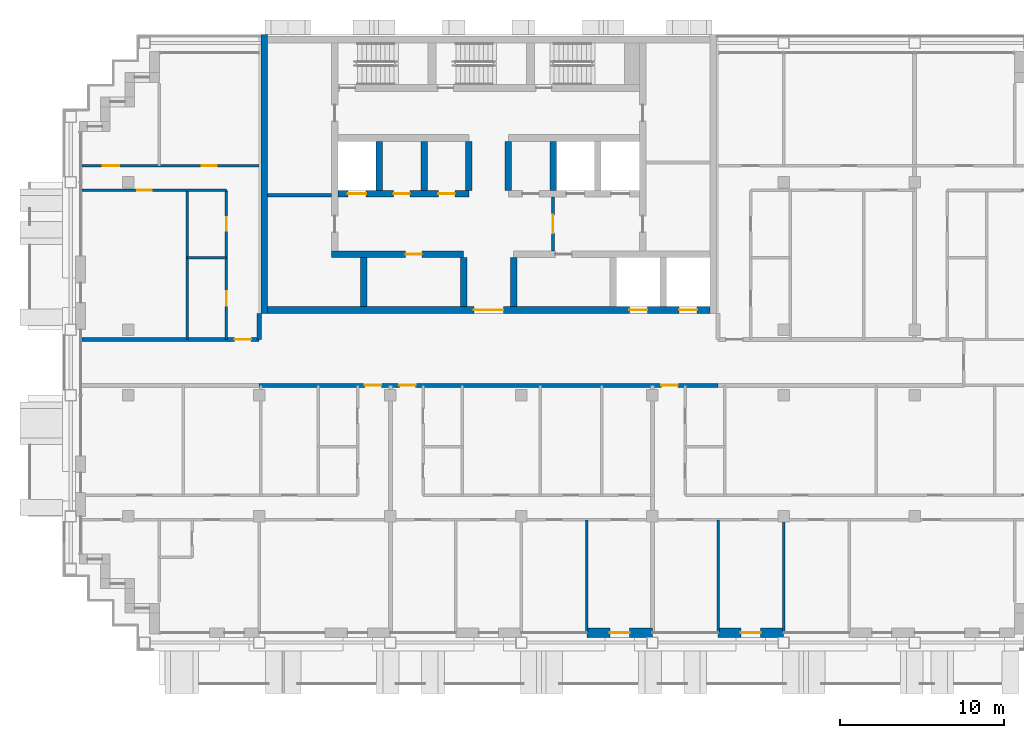
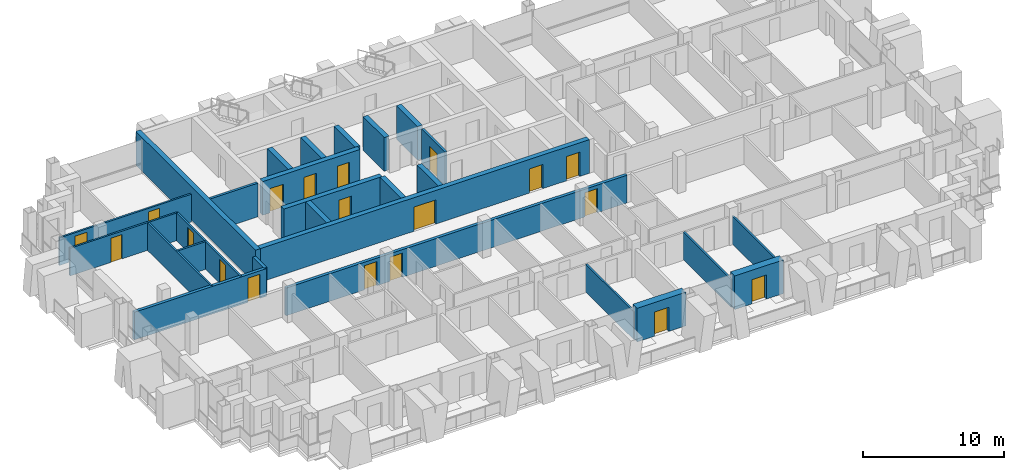
# One storey, part 9 of 16: 27 walls, 19 doors, 19 openings.
"""IFC4 building model written with IfcOpenShell, lengths in metres."""

import ifcopenshell
import ifcopenshell.guid

model = None  # the IFC model being written
_history = None  # IfcOwnerHistory: only IFC2X3 demands one
_inside = {}  # id of a spatial element -> (the spatial element, [elements in it])
_under = {}  # id of a project, library or spatial element -> (it, [spatial elements below it])
_declared = {}  # id of a project -> (the project, [libraries it declares])
_typed = {}  # id of a type object -> (the type object, [elements of that type])
_made_of = {}  # id of a material, layer set ... -> (it, [elements and type objects made of it])


def new_model(schema):
    """Start an empty IFC model of exactly this schema.

    Asked for "IFC4X3", IfcOpenShell would pick the latest addendum, in which some entities
    have other attributes; the version numbers below select the first issue.
    IFC2X3 requires an IfcOwnerHistory on every rooted entity: one is made here for all.
    """
    global model, _history
    if schema == "IFC4X3":
        model = ifcopenshell.file(schema_version=(4, 3, 0, 0))
    else:
        model = ifcopenshell.file(schema=schema)
    _inside.clear()
    _under.clear()
    _declared.clear()
    _typed.clear()
    _made_of.clear()
    _history = None
    if model.schema == "IFC2X3":
        org = make("IfcOrganization", Name="unknown")
        user = make(
            "IfcPersonAndOrganization",
            ThePerson=make("IfcPerson", FamilyName="unknown"),
            TheOrganization=org,
        )
        app = make(
            "IfcApplication",
            ApplicationDeveloper=org,
            Version="unknown",
            ApplicationFullName="unknown",
            ApplicationIdentifier="unknown",
        )
        _history = make(
            "IfcOwnerHistory",
            OwningUser=user,
            OwningApplication=app,
            ChangeAction="ADDED",
            CreationDate=0,
        )
    return model


def make(cls, **values):
    """One entity of the class cls with the attributes given. An attribute that is None is left unset."""
    return model.create_entity(
        cls, **{name: value for name, value in values.items() if value is not None}
    )


def rooted(cls, **values):
    """An entity with a GlobalId (a new one), such as an element, a storey or a relation."""
    return make(cls, GlobalId=ifcopenshell.guid.new(), OwnerHistory=_history, **values)


def si_unit(unit_type, name, prefix=None):
    """IfcSIUnit, for example si_unit("LENGTHUNIT", "METRE", prefix="MILLI")."""
    return make("IfcSIUnit", UnitType=unit_type, Prefix=prefix, Name=name)


def assignment(units):
    """IfcUnitAssignment: the units of a project."""
    return None if units is None else make("IfcUnitAssignment", Units=units)


def point(xyz):
    """IfcCartesianPoint."""
    return None if xyz is None else make("IfcCartesianPoint", Coordinates=xyz)


def direction(xyz):
    """IfcDirection."""
    return None if xyz is None else make("IfcDirection", DirectionRatios=xyz)


def frame(location, z_axis=None, x_axis=None):
    """IfcAxis2Placement3D, a coordinate frame: its origin and axes. An axis left out is left unset."""
    return make(
        "IfcAxis2Placement3D",
        Location=point(location),
        Axis=direction(z_axis),
        RefDirection=direction(x_axis),
    )


def frame_2d(location, x_axis=None):
    """IfcAxis2Placement2D, a coordinate frame in the plane: its origin and x axis."""
    return make(
        "IfcAxis2Placement2D", Location=point(location), RefDirection=direction(x_axis)
    )


def origin():
    """The frame at (0, 0, 0) with its axes left unset."""
    return frame((0.0, 0.0, 0.0))


def place(relative_to, where):
    """IfcLocalPlacement: puts the frame where relative to a parent placement (None: the world)."""
    return make(
        "IfcLocalPlacement", PlacementRelTo=relative_to, RelativePlacement=where
    )


def context(
    kind, dimensions, precision=None, world=None, true_north=None, identifier=None
):
    """IfcGeometricRepresentationContext, for example the 3D "Model" context."""
    return make(
        "IfcGeometricRepresentationContext",
        ContextIdentifier=identifier,
        ContextType=kind,
        CoordinateSpaceDimension=dimensions,
        Precision=precision,
        WorldCoordinateSystem=world,
        TrueNorth=true_north,
    )


def subcontext(parent, identifier, kind, view, scale=None):
    """IfcGeometricRepresentationSubContext, for example "Body" below "Model"."""
    return make(
        "IfcGeometricRepresentationSubContext",
        ContextIdentifier=identifier,
        ContextType=kind,
        ParentContext=parent,
        TargetScale=scale,
        TargetView=view,
    )


def project(units=None, contexts=None):
    """IfcProject with its units and contexts."""
    return rooted(
        "IfcProject",
        Name="project",
        RepresentationContexts=contexts,
        UnitsInContext=assignment(units),
    )


def spatial(cls, under=None, at=None, **own):
    """A site, building, storey or space (cls), placed at a placement, below another one or the project."""
    s = rooted(cls, ObjectPlacement=at, **own)
    if under is not None:
        _under.setdefault(under.id(), (under, []))[1].append(s)
    return s


def profile(cls, at=None, kind="AREA", **sizes):
    """A parametric profile (cls). Its sizes go by their IFC names, for example OverallWidth=200.0."""
    return make(cls, ProfileType=kind, Position=at, **sizes)


def rectangle(**sizes):
    """IfcRectangleProfileDef."""
    return profile("IfcRectangleProfileDef", **sizes)


def extrude(swept, where, along, depth):
    """IfcExtrudedAreaSolid: the profile swept, set in the frame where, extruded along a direction by depth."""
    return make(
        "IfcExtrudedAreaSolid",
        SweptArea=swept,
        Position=where,
        ExtrudedDirection=direction(along),
        Depth=depth,
    )


def shape(context_of_items, identifier, shape_type, items):
    """IfcShapeRepresentation: the items that make up one representation, for example the "Body"."""
    return make(
        "IfcShapeRepresentation",
        ContextOfItems=context_of_items,
        RepresentationIdentifier=identifier,
        RepresentationType=shape_type,
        Items=items,
    )


def material(Name=None, Category=None):
    """IfcMaterial."""
    return make("IfcMaterial", Name=Name, Category=Category)


def layer(
    of_material, thickness, ventilated=None, Name=None, Category=None, Priority=None
):
    """IfcMaterialLayer: one layer of a wall or slab, of a material (None: an air gap)."""
    return make(
        "IfcMaterialLayer",
        Material=of_material,
        LayerThickness=thickness,
        IsVentilated=ventilated,
        Name=Name,
        Category=Category,
        Priority=Priority,
    )


def layer_set(layers, Name=None):
    """IfcMaterialLayerSet."""
    return make("IfcMaterialLayerSet", MaterialLayers=layers, LayerSetName=Name)


def made_of(thing, what):
    """Note that an element or type object is made of a material, layer set ...; save() writes the relation."""
    if what is not None:
        _made_of.setdefault(what.id(), (what, []))[1].append(thing)
    return thing


def type_object(cls, material=None, **own):
    """A type object (cls), such as IfcWallType, which elements share."""
    return made_of(rooted(cls, **own), material)


def element(
    cls,
    number,
    at=None,
    inside=None,
    cuts=None,
    type_object=None,
    material=None,
    context=None,
    identifier="Body",
    shape_type=None,
    held_by="IfcProductDefinitionShape",
    body=None,
    shapes=None,
    **own,
):
    """One element of the class cls, such as IfcWall. Its Tag is "e" and its number.

    at: its placement. inside: the storey or other place that contains it. cuts: it is an
    opening in that element (IfcRelVoidsElement). A single representation is given by context,
    identifier, shape_type and body (its items); several are given by shapes. held_by: the class
    of the entity that holds the representations. save() writes the other relations.
    """
    e = rooted(cls, Tag="e%d" % number, ObjectPlacement=at, **own)
    if body is not None:
        shapes = [shape(context, identifier, shape_type, body)]
    if shapes is not None:
        e.Representation = make(held_by, Representations=shapes)
    if inside is not None:
        _inside.setdefault(inside.id(), (inside, []))[1].append(e)
    if cuts is not None:
        rooted(
            "IfcRelVoidsElement", RelatingBuildingElement=cuts, RelatedOpeningElement=e
        )
    if type_object is not None:
        _typed.setdefault(type_object.id(), (type_object, []))[1].append(e)
    return made_of(e, material)


def fill(opening, filler):
    """IfcRelFillsElement: the door or window that sits in an opening."""
    return rooted(
        "IfcRelFillsElement",
        RelatingOpeningElement=opening,
        RelatedBuildingElement=filler,
    )


def aggregate(whole, parts):
    """IfcRelAggregates: a whole, such as a stair, and the parts it consists of."""
    return rooted("IfcRelAggregates", RelatingObject=whole, RelatedObjects=parts)


def save(model, path):
    """Write the relations noted so far, then the file.

    IfcRelAggregates (storeys below a building ...), IfcRelContainedInSpatialStructure (elements
    in a storey), IfcRelDefinesByType, IfcRelAssociatesMaterial and IfcRelDeclares: one each for
    every whole, place, type object, material and project.
    """
    for whole, parts in _under.values():
        aggregate(whole, parts)
    for where, things in _inside.values():
        rooted(
            "IfcRelContainedInSpatialStructure",
            RelatedElements=things,
            RelatingStructure=where,
        )
    for kind, things in _typed.values():
        rooted("IfcRelDefinesByType", RelatedObjects=things, RelatingType=kind)
    for what, things in _made_of.values():
        rooted("IfcRelAssociatesMaterial", RelatedObjects=things, RelatingMaterial=what)
    for by, libraries in _declared.values():
        rooted("IfcRelDeclares", RelatingContext=by, RelatedDefinitions=libraries)
    model.write(path)


model = new_model("IFC4")

# Units and contexts
model_context = context("Model", 3, precision=1e-05, world=origin(), true_north=direction((0.0, 1.0)))
body_context = subcontext(model_context, "Body", "Model", "MODEL_VIEW")
ifc_project = project(units=[si_unit("LENGTHUNIT", "METRE"), si_unit("AREAUNIT", "SQUARE_METRE"), si_unit("VOLUMEUNIT", "CUBIC_METRE"), si_unit("PLANEANGLEUNIT", "RADIAN"), si_unit("MASSUNIT", "GRAM", prefix="KILO")], contexts=[model_context])

# Site, building, storey
site_placement = place(None, origin())
site = spatial("IfcSite", under=ifc_project, at=site_placement, CompositionType="ELEMENT")
building_placement = place(site_placement, origin())
building = spatial("IfcBuilding", under=site, at=building_placement, Name="Vidyagriha Tower", CompositionType="ELEMENT")
storey_placement = place(building_placement, frame((0.0, 0.0, 168.5)))
storey = spatial("IfcBuildingStorey", under=building, at=storey_placement, Name="L43", CompositionType="ELEMENT", Elevation=168.5)

# Wall, opening, door
ifc_material_1 = material(Name="Precast concrete C40/50 with brick facing", Category="concrete")
ifc_layer_1 = layer(ifc_material_1, 0.60009765625)
ifc_layer_set_1 = layer_set([ifc_layer_1], Name="Precast concrete C40/50 with brick facing")
wall_type_1 = type_object("IfcWallType", Name="Brick-faced precast wall 600", PredefinedType="STANDARD", material=ifc_layer_set_1)
wall_1_placement = place(storey_placement, frame((6.0, -16.5, 0.0)))
wall_1 = element("IfcWall", 1, at=wall_1_placement, inside=storey, type_object=wall_type_1, Name="Brick door bay wall L43 R23.8", PredefinedType="STANDARD", context=body_context, shape_type="SweptSolid", body=[
    extrude(rectangle(XDim=4.0, YDim=0.60009765625, at=frame_2d((2.0, 0.0))), origin(), (0.0, 0.0, 1.0), 2.919921875),
])
opening_1_placement = place(wall_1_placement, frame((1.39990234375, 0.0, 0.0)))
opening_1 = element("IfcOpeningElement", 2, at=opening_1_placement, cuts=wall_1, Name="Opening D43-71", PredefinedType="OPENING", context=body_context, shape_type="SweptSolid", body=[
    extrude(rectangle(XDim=1.199951171875, YDim=2.10009765625, at=frame_2d((0.60009765625, 1.050048828125))), frame((0.0, 0.31005859375, 0.0), z_axis=(0.0, -1.0, 0.0), x_axis=(1.0, 0.0, 0.0)), (0.0, 0.0, 1.0), 0.6201171875),
])
ifc_material_2 = material(Name="Aluminium framed glazed sliding door", Category="aluminium")
door_type_1 = type_object("IfcDoorType", Name="Balcony sliding door 1200x2100", OperationType="NOTDEFINED", PredefinedType="DOOR", material=ifc_material_2)
door_1_placement = place(opening_1_placement, origin())
door_1 = element("IfcDoor", 3, at=door_1_placement, inside=storey, type_object=door_type_1, Name="Door D43-71", OperationType="SLIDING_TO_LEFT", OverallHeight=2.10009765625, OverallWidth=1.199951171875, PredefinedType="DOOR", context=body_context, shape_type="SweptSolid", body=[
    extrude(rectangle(XDim=1.199951171875, YDim=2.10009765625, at=frame_2d((0.60009765625, 1.050048828125))), frame((0.0, 0.02490234375, 0.0), z_axis=(0.0, -1.0, 0.0), x_axis=(1.0, 0.0, 0.0)), (0.0, 0.0, 1.0), 0.050048828125),
])
fill(opening_1, door_1)

wall_2_placement = place(storey_placement, frame((14.0, -16.5, 0.0)))
wall_2 = element("IfcWall", 4, at=wall_2_placement, inside=storey, type_object=wall_type_1, Name="Brick door bay wall L43 R23.10", PredefinedType="STANDARD", context=body_context, shape_type="SweptSolid", body=[
    extrude(rectangle(XDim=4.0, YDim=0.60009765625, at=frame_2d((2.0, 0.0))), origin(), (0.0, 0.0, 1.0), 2.919921875),
])
opening_2_placement = place(wall_2_placement, frame((1.39990234375, 0.0, 0.0)))
opening_2 = element("IfcOpeningElement", 5, at=opening_2_placement, cuts=wall_2, Name="Opening D43-72", PredefinedType="OPENING", context=body_context, shape_type="SweptSolid", body=[
    extrude(rectangle(XDim=1.199951171875, YDim=2.10009765625, at=frame_2d((0.60009765625, 1.050048828125))), frame((0.0, 0.31005859375, 0.0), z_axis=(0.0, -1.0, 0.0), x_axis=(1.0, 0.0, 0.0)), (0.0, 0.0, 1.0), 0.6201171875),
])
door_2_placement = place(opening_2_placement, origin())
door_2 = element("IfcDoor", 6, at=door_2_placement, inside=storey, type_object=door_type_1, Name="Door D43-72", OperationType="SLIDING_TO_LEFT", OverallHeight=2.10009765625, OverallWidth=1.199951171875, PredefinedType="DOOR", context=body_context, shape_type="SweptSolid", body=[
    extrude(rectangle(XDim=1.199951171875, YDim=2.10009765625, at=frame_2d((0.60009765625, 1.050048828125))), frame((0.0, 0.02490234375, 0.0), z_axis=(0.0, -1.0, 0.0), x_axis=(1.0, 0.0, 0.0)), (0.0, 0.0, 1.0), 0.050048828125),
])
fill(opening_2, door_2)

# Wall
ifc_material_3 = material(Name="Concrete C60/75", Category="concrete")
ifc_layer_2 = layer(ifc_material_3, 0.39990234375)
ifc_layer_set_2 = layer_set([ifc_layer_2], Name="Concrete C60/75")
wall_type_2 = type_object("IfcWallType", Name="Core shear wall 400 mm", PredefinedType="SHEAR", material=ifc_layer_set_2)
wall_3_placement = place(storey_placement, frame((-13.699951171875, 3.0, 0.0), z_axis=(0.0, 0.0, 1.0), x_axis=(0.0, 1.0, 0.0)))
element("IfcWall", 7, at=wall_3_placement, inside=storey, type_object=wall_type_2, Name="Core west wall", PredefinedType="SHEAR", context=body_context, shape_type="SweptSolid", body=[
    extrude(rectangle(XDim=17.0, YDim=0.39990234375, at=frame_2d((8.5, 0.0))), origin(), (0.0, 0.0, 1.0), 2.919921875),
])

# Wall, openings, doors
wall_4_placement = place(storey_placement, frame((-13.5, 3.199951171875, 0.0)))
wall_4 = element("IfcWall", 8, at=wall_4_placement, inside=storey, type_object=wall_type_2, Name="Core front wall", PredefinedType="SHEAR", context=body_context, shape_type="SweptSolid", body=[
    extrude(rectangle(XDim=27.0, YDim=0.39990234375, at=frame_2d((13.5, 0.0))), origin(), (0.0, 0.0, 1.0), 2.919921875),
])
opening_3_placement = place(wall_4_placement, frame((22.083251953125, 0.0, 0.0)))
opening_3 = element("IfcOpeningElement", 9, at=opening_3_placement, cuts=wall_4, Name="Opening LD43-01", PredefinedType="OPENING", context=body_context, shape_type="SweptSolid", body=[
    extrude(rectangle(XDim=1.10009765625, YDim=2.10009765625, at=frame_2d((0.550048828125, 1.050048828125))), frame((0.0, 0.2099609375, 0.0), z_axis=(0.0, -1.0, 0.0), x_axis=(1.0, 0.0, 0.0)), (0.0, 0.0, 1.0), 0.419921875),
])
opening_4_placement = place(wall_4_placement, frame((25.127685546875, 0.0, 0.0)))
opening_4 = element("IfcOpeningElement", 10, at=opening_4_placement, cuts=wall_4, Name="Opening LD43-02", PredefinedType="OPENING", context=body_context, shape_type="SweptSolid", body=[
    extrude(rectangle(XDim=1.10009765625, YDim=2.10009765625, at=frame_2d((0.550048828125, 1.050048828125))), frame((0.0, 0.2099609375, 0.0), z_axis=(0.0, -1.0, 0.0), x_axis=(1.0, 0.0, 0.0)), (0.0, 0.0, 1.0), 0.419921875),
])
opening_5_placement = place(wall_4_placement, frame((12.60009765625, 0.0, 0.0)))
opening_5 = element("IfcOpeningElement", 11, at=opening_5_placement, cuts=wall_4, Name="Opening D43-01", PredefinedType="OPENING", context=body_context, shape_type="SweptSolid", body=[
    extrude(rectangle(XDim=1.800048828125, YDim=2.10009765625, at=frame_2d((0.89990234375, 1.050048828125))), frame((0.0, 0.2099609375, 0.0), z_axis=(0.0, -1.0, 0.0), x_axis=(1.0, 0.0, 0.0)), (0.0, 0.0, 1.0), 0.419921875),
])
ifc_material_4 = material(Name="Hollow metal door leaf")
door_type_2 = type_object("IfcDoorType", Name="Core lobby double door 1800 x 2100 mm EI 60", OperationType="NOTDEFINED", PredefinedType="DOOR", material=ifc_material_4)
door_3_placement = place(opening_5_placement, frame((1.800048828125, 0.0, 0.0), z_axis=(0.0, 0.0, 1.0), x_axis=(-1.0, 0.0, 0.0)))
door_3 = element("IfcDoor", 12, at=door_3_placement, inside=storey, type_object=door_type_2, Name="Core entrance door L43", OperationType="DOUBLE_DOOR_SINGLE_SWING", OverallHeight=2.10009765625, OverallWidth=1.800048828125, PredefinedType="DOOR", context=body_context, shape_type="SweptSolid", body=[
    extrude(rectangle(XDim=1.800048828125, YDim=2.10009765625, at=frame_2d((0.89990234375, 1.050048828125))), frame((0.0, 0.02490234375, 0.0), z_axis=(0.0, -1.0, 0.0), x_axis=(1.0, 0.0, 0.0)), (0.0, 0.0, 1.0), 0.050048828125),
])
fill(opening_5, door_3)
ifc_material_5 = material(Name="Stainless steel sliding door panel", Category="steel")
door_type_3 = type_object("IfcDoorType", Name="Lift landing door 1100 x 2100 mm EI 90", OperationType="NOTDEFINED", PredefinedType="DOOR", material=ifc_material_5)
door_4_placement = place(opening_3_placement, origin())
door_4 = element("IfcDoor", 13, at=door_4_placement, inside=storey, type_object=door_type_3, Name="Landing door MR1 L43", OperationType="SLIDING_TO_LEFT", OverallHeight=2.10009765625, OverallWidth=1.10009765625, PredefinedType="DOOR", context=body_context, shape_type="SweptSolid", body=[
    extrude(rectangle(XDim=1.10009765625, YDim=2.10009765625, at=frame_2d((0.550048828125, 1.050048828125))), frame((0.0, 0.02490234375, 0.0), z_axis=(0.0, -1.0, 0.0), x_axis=(1.0, 0.0, 0.0)), (0.0, 0.0, 1.0), 0.050048828125),
])
fill(opening_3, door_4)
door_5_placement = place(opening_4_placement, origin())
door_5 = element("IfcDoor", 14, at=door_5_placement, inside=storey, type_object=door_type_3, Name="Landing door MR2 L43", OperationType="SLIDING_TO_LEFT", OverallHeight=2.10009765625, OverallWidth=1.10009765625, PredefinedType="DOOR", context=body_context, shape_type="SweptSolid", body=[
    extrude(rectangle(XDim=1.10009765625, YDim=2.10009765625, at=frame_2d((0.550048828125, 1.050048828125))), frame((0.0, 0.02490234375, 0.0), z_axis=(0.0, -1.0, 0.0), x_axis=(1.0, 0.0, 0.0)), (0.0, 0.0, 1.0), 0.050048828125),
])
fill(opening_4, door_5)

# Wall, opening, door
wall_5_placement = place(storey_placement, frame((-9.60009765625, 6.60009765625, 0.0)))
wall_5 = element("IfcWall", 15, at=wall_5_placement, inside=storey, type_object=wall_type_2, Name="Core lobby south wall west", PredefinedType="SHEAR", context=body_context, shape_type="SweptSolid", body=[
    extrude(rectangle(XDim=8.077880859375, YDim=0.39990234375, at=frame_2d((4.0390625, 0.0))), origin(), (0.0, 0.0, 1.0), 2.919921875),
])
opening_6_placement = place(wall_5_placement, frame((4.533203125, 0.0, 0.0)))
opening_6 = element("IfcOpeningElement", 16, at=opening_6_placement, cuts=wall_5, Name="Opening D43-02", PredefinedType="OPENING", context=body_context, shape_type="SweptSolid", body=[
    extrude(rectangle(XDim=1.0, YDim=2.10009765625, at=frame_2d((0.5, 1.050048828125))), frame((0.0, 0.2099609375, 0.0), z_axis=(0.0, -1.0, 0.0), x_axis=(1.0, 0.0, 0.0)), (0.0, 0.0, 1.0), 0.419921875),
])
ifc_material_6 = material(Name="Hollow metal door leaf")
door_type_4 = type_object("IfcDoorType", Name="Core room door 1000 x 2100 mm EI 60", OperationType="NOTDEFINED", PredefinedType="DOOR", material=ifc_material_6)
door_6_placement = place(opening_6_placement, origin())
door_6 = element("IfcDoor", 17, at=door_6_placement, inside=storey, type_object=door_type_4, Name="Door Electrical Room 43.01", OperationType="SINGLE_SWING_RIGHT", OverallHeight=2.10009765625, OverallWidth=1.0, PredefinedType="DOOR", context=body_context, shape_type="SweptSolid", body=[
    extrude(rectangle(XDim=1.0, YDim=2.10009765625, at=frame_2d((0.5, 1.050048828125))), frame((0.0, 0.02490234375, 0.0), z_axis=(0.0, -1.0, 0.0), x_axis=(1.0, 0.0, 0.0)), (0.0, 0.0, 1.0), 0.050048828125),
])
fill(opening_6, door_6)

# Walls
for number, where, z_axis, x_axis, name in (
    (18, (-7.611083984375, 3.39990234375, 0.0), (0.0, 0.0, 1.0), (0.0, 1.0, 0.0), "Core bay wall S2"),
    (19, (-1.522216796875, 3.39990234375, 0.0), (0.0, 0.0, 1.0), (0.0, 1.0, 0.0), "Core bay wall S4"),
    (20, (1.522216796875, 3.39990234375, 0.0), (0.0, 0.0, 1.0), (0.0, 1.0, 0.0), "Core bay wall S5"),
):
    element("IfcWall", number, at=place(storey_placement, frame(where, z_axis=z_axis, x_axis=x_axis)), inside=storey, type_object=wall_type_2, Name=name, PredefinedType="SHEAR", context=body_context, shape_type="SweptSolid", body=[
        extrude(rectangle(XDim=3.0, YDim=0.39990234375, at=frame_2d((1.5, 0.0))), origin(), (0.0, 0.0, 1.0), 2.919921875),
    ])

# Wall, openings, doors
wall_6_placement = place(storey_placement, frame((-9.199951171875, 10.300048828125, 0.0)))
wall_6 = element("IfcWall", 21, at=wall_6_placement, inside=storey, type_object=wall_type_2, Name="Core row N front wall", PredefinedType="SHEAR", context=body_context, shape_type="SweptSolid", body=[
    extrude(rectangle(XDim=8.0, YDim=0.39990234375, at=frame_2d((4.0, 0.0))), origin(), (0.0, 0.0, 1.0), 2.919921875),
])
opening_7_placement = place(wall_6_placement, frame((0.61669921875, 0.0, 0.0)))
opening_7 = element("IfcOpeningElement", 22, at=opening_7_placement, cuts=wall_6, Name="Opening LD43-03", PredefinedType="OPENING", context=body_context, shape_type="SweptSolid", body=[
    extrude(rectangle(XDim=1.10009765625, YDim=2.10009765625, at=frame_2d((0.550048828125, 1.050048828125))), frame((0.0, 0.2099609375, 0.0), z_axis=(0.0, -1.0, 0.0), x_axis=(1.0, 0.0, 0.0)), (0.0, 0.0, 1.0), 0.419921875),
])
opening_8_placement = place(wall_6_placement, frame((3.39990234375, 0.0, 0.0)))
opening_8 = element("IfcOpeningElement", 23, at=opening_8_placement, cuts=wall_6, Name="Opening D43-04", PredefinedType="OPENING", context=body_context, shape_type="SweptSolid", body=[
    extrude(rectangle(XDim=1.0, YDim=2.10009765625, at=frame_2d((0.5, 1.050048828125))), frame((0.0, 0.2099609375, 0.0), z_axis=(0.0, -1.0, 0.0), x_axis=(1.0, 0.0, 0.0)), (0.0, 0.0, 1.0), 0.419921875),
])
opening_9_placement = place(wall_6_placement, frame((6.13330078125, 0.0, 0.0)))
opening_9 = element("IfcOpeningElement", 24, at=opening_9_placement, cuts=wall_6, Name="Opening D43-05", PredefinedType="OPENING", context=body_context, shape_type="SweptSolid", body=[
    extrude(rectangle(XDim=1.0, YDim=2.10009765625, at=frame_2d((0.5, 1.050048828125))), frame((0.0, 0.2099609375, 0.0), z_axis=(0.0, -1.0, 0.0), x_axis=(1.0, 0.0, 0.0)), (0.0, 0.0, 1.0), 0.419921875),
])
door_7_placement = place(opening_8_placement, frame((1.0, 0.0, 0.0), z_axis=(0.0, 0.0, 1.0), x_axis=(-1.0, 0.0, 0.0)))
door_7 = element("IfcDoor", 25, at=door_7_placement, inside=storey, type_object=door_type_4, Name="Door Switchgear Room 43.14", OperationType="SINGLE_SWING_RIGHT", OverallHeight=2.10009765625, OverallWidth=1.0, PredefinedType="DOOR", context=body_context, shape_type="SweptSolid", body=[
    extrude(rectangle(XDim=1.0, YDim=2.10009765625, at=frame_2d((0.5, 1.050048828125))), frame((0.0, 0.02490234375, 0.0), z_axis=(0.0, -1.0, 0.0), x_axis=(1.0, 0.0, 0.0)), (0.0, 0.0, 1.0), 0.050048828125),
])
fill(opening_8, door_7)
door_8_placement = place(opening_9_placement, frame((1.0, 0.0, 0.0), z_axis=(0.0, 0.0, 1.0), x_axis=(-1.0, 0.0, 0.0)))
door_8 = element("IfcDoor", 26, at=door_8_placement, inside=storey, type_object=door_type_4, Name="Door Storage Room 43.15", OperationType="SINGLE_SWING_LEFT", OverallHeight=2.10009765625, OverallWidth=1.0, PredefinedType="DOOR", context=body_context, shape_type="SweptSolid", body=[
    extrude(rectangle(XDim=1.0, YDim=2.10009765625, at=frame_2d((0.5, 1.050048828125))), frame((0.0, 0.02490234375, 0.0), z_axis=(0.0, -1.0, 0.0), x_axis=(1.0, 0.0, 0.0)), (0.0, 0.0, 1.0), 0.050048828125),
])
fill(opening_9, door_8)
door_9_placement = place(opening_7_placement, origin())
door_9 = element("IfcDoor", 27, at=door_9_placement, inside=storey, type_object=door_type_3, Name="Landing door MR3 L43", OperationType="SLIDING_TO_LEFT", OverallHeight=2.10009765625, OverallWidth=1.10009765625, PredefinedType="DOOR", context=body_context, shape_type="SweptSolid", body=[
    extrude(rectangle(XDim=1.10009765625, YDim=2.10009765625, at=frame_2d((0.550048828125, 1.050048828125))), frame((0.0, 0.02490234375, 0.0), z_axis=(0.0, -1.0, 0.0), x_axis=(1.0, 0.0, 0.0)), (0.0, 0.0, 1.0), 0.050048828125),
])
fill(opening_7, door_9)

# Walls
for number, where, z_axis, x_axis, name in (
    (28, (-6.666748046875, 10.5, 0.0), (0.0, 0.0, 1.0), (0.0, 1.0, 0.0), "Core bay wall N1"),
    (29, (-3.933349609375, 10.5, 0.0), (0.0, 0.0, 1.0), (0.0, 1.0, 0.0), "Core bay wall N2"),
    (30, (-1.199951171875, 10.5, 0.0), (0.0, 0.0, 1.0), (0.0, 1.0, 0.0), "Core bay wall N3"),
    (31, (1.199951171875, 10.5, 0.0), (0.0, 0.0, 1.0), (0.0, 1.0, 0.0), "Core bay wall N4"),
    (32, (3.933349609375, 10.5, 0.0), (0.0, 0.0, 1.0), (0.0, 1.0, 0.0), "Core bay wall N5"),
):
    element("IfcWall", number, at=place(storey_placement, frame(where, z_axis=z_axis, x_axis=x_axis)), inside=storey, type_object=wall_type_2, Name=name, PredefinedType="SHEAR", context=body_context, shape_type="SweptSolid", body=[
        extrude(rectangle(XDim=3.0, YDim=0.39990234375, at=frame_2d((1.5, 0.0))), origin(), (0.0, 0.0, 1.0), 2.919921875),
    ])

# Wall, opening, door
ifc_material_7 = material(Name="Fired clay brick masonry", Category="masonry")
ifc_layer_3 = layer(ifc_material_7, 0.25)
ifc_layer_set_3 = layer_set([ifc_layer_3], Name="Fired clay brick masonry")
wall_type_3 = type_object("IfcWallType", Name="Fired clay brick corridor wall 250", PredefinedType="PARTITIONING", material=ifc_layer_set_3)
wall_7_placement = place(storey_placement, frame((-24.820068359375, 1.39990234375, 0.0)))
wall_7 = element("IfcWall", 33, at=wall_7_placement, inside=storey, type_object=wall_type_3, Name="Wall all-L43-w081", PredefinedType="PARTITIONING", context=body_context, shape_type="SweptSolid", body=[
    extrude(rectangle(XDim=10.820068359375, YDim=0.25, at=frame_2d((5.41015625, 0.0))), origin(), (0.0, 0.0, 1.0), 2.39990234375),
])
opening_10_placement = place(wall_7_placement, frame((9.320068359375, 0.0, 0.0)))
opening_10 = element("IfcOpeningElement", 34, at=opening_10_placement, cuts=wall_7, Name="Opening D43-51", PredefinedType="OPENING", context=body_context, shape_type="SweptSolid", body=[
    extrude(rectangle(XDim=1.0, YDim=2.10009765625, at=frame_2d((0.5, 1.050048828125))), frame((0.0, 0.135009765625, 0.0), z_axis=(0.0, -1.0, 0.0), x_axis=(1.0, 0.0, 0.0)), (0.0, 0.0, 1.0), 0.27001953125),
])
ifc_material_8 = material(Name="Fire-rated timber door leaf EI 60", Category="wood")
door_type_5 = type_object("IfcDoorType", Name="Flat entrance fire door 1000x2100", OperationType="NOTDEFINED", PredefinedType="DOOR", material=ifc_material_8)
door_10_placement = place(opening_10_placement, origin())
door_10 = element("IfcDoor", 35, at=door_10_placement, inside=storey, type_object=door_type_5, Name="Door D43-51", OperationType="SINGLE_SWING_RIGHT", OverallHeight=2.10009765625, OverallWidth=1.0, PredefinedType="DOOR", context=body_context, shape_type="SweptSolid", body=[
    extrude(rectangle(XDim=1.0, YDim=2.10009765625, at=frame_2d((0.5, 1.050048828125))), frame((0.0, 0.02490234375, 0.0), z_axis=(0.0, -1.0, 0.0), x_axis=(1.0, 0.0, 0.0)), (0.0, 0.0, 1.0), 0.050048828125),
])
fill(opening_10, door_10)

# Wall, openings, doors
wall_8_placement = place(storey_placement, frame((14.0, -1.39990234375, 0.0), z_axis=(0.0, 0.0, 1.0), x_axis=(-1.0, 0.0, 0.0)))
wall_8 = element("IfcWall", 36, at=wall_8_placement, inside=storey, type_object=wall_type_3, Name="Wall all-L43-w113", PredefinedType="PARTITIONING", context=body_context, shape_type="SweptSolid", body=[
    extrude(rectangle(XDim=28.0, YDim=0.25, at=frame_2d((14.0, 0.0))), origin(), (0.0, 0.0, 1.0), 2.39990234375),
])
opening_11_placement = place(wall_8_placement, frame((20.547119140625, 0.0, 0.0)))
opening_11 = element("IfcOpeningElement", 37, at=opening_11_placement, cuts=wall_8, Name="Opening D43-24", PredefinedType="OPENING", context=body_context, shape_type="SweptSolid", body=[
    extrude(rectangle(XDim=1.0, YDim=2.10009765625, at=frame_2d((0.5, 1.050048828125))), frame((0.0, 0.135009765625, 0.0), z_axis=(0.0, -1.0, 0.0), x_axis=(1.0, 0.0, 0.0)), (0.0, 0.0, 1.0), 0.27001953125),
])
opening_12_placement = place(wall_8_placement, frame((18.452880859375, 0.0, 0.0)))
opening_12 = element("IfcOpeningElement", 38, at=opening_12_placement, cuts=wall_8, Name="Opening D43-34", PredefinedType="OPENING", context=body_context, shape_type="SweptSolid", body=[
    extrude(rectangle(XDim=1.0, YDim=2.10009765625, at=frame_2d((0.5, 1.050048828125))), frame((0.0, 0.135009765625, 0.0), z_axis=(0.0, -1.0, 0.0), x_axis=(1.0, 0.0, 0.0)), (0.0, 0.0, 1.0), 0.27001953125),
])
opening_13_placement = place(wall_8_placement, frame((2.452880859375, 0.0, 0.0)))
opening_13 = element("IfcOpeningElement", 39, at=opening_13_placement, cuts=wall_8, Name="Opening D43-45", PredefinedType="OPENING", context=body_context, shape_type="SweptSolid", body=[
    extrude(rectangle(XDim=1.0, YDim=2.10009765625, at=frame_2d((0.5, 1.050048828125))), frame((0.0, 0.135009765625, 0.0), z_axis=(0.0, -1.0, 0.0), x_axis=(1.0, 0.0, 0.0)), (0.0, 0.0, 1.0), 0.27001953125),
])
door_11_placement = place(opening_11_placement, origin())
door_11 = element("IfcDoor", 40, at=door_11_placement, inside=storey, type_object=door_type_5, Name="Door D43-24", OperationType="SINGLE_SWING_LEFT", OverallHeight=2.10009765625, OverallWidth=1.0, PredefinedType="DOOR", context=body_context, shape_type="SweptSolid", body=[
    extrude(rectangle(XDim=1.0, YDim=2.10009765625, at=frame_2d((0.5, 1.050048828125))), frame((0.0, 0.02490234375, 0.0), z_axis=(0.0, -1.0, 0.0), x_axis=(1.0, 0.0, 0.0)), (0.0, 0.0, 1.0), 0.050048828125),
])
fill(opening_11, door_11)
door_12_placement = place(opening_12_placement, origin())
door_12 = element("IfcDoor", 41, at=door_12_placement, inside=storey, type_object=door_type_5, Name="Door D43-34", OperationType="SINGLE_SWING_RIGHT", OverallHeight=2.10009765625, OverallWidth=1.0, PredefinedType="DOOR", context=body_context, shape_type="SweptSolid", body=[
    extrude(rectangle(XDim=1.0, YDim=2.10009765625, at=frame_2d((0.5, 1.050048828125))), frame((0.0, 0.02490234375, 0.0), z_axis=(0.0, -1.0, 0.0), x_axis=(1.0, 0.0, 0.0)), (0.0, 0.0, 1.0), 0.050048828125),
])
fill(opening_12, door_12)
door_13_placement = place(opening_13_placement, origin())
door_13 = element("IfcDoor", 42, at=door_13_placement, inside=storey, type_object=door_type_5, Name="Door D43-45", OperationType="SINGLE_SWING_RIGHT", OverallHeight=2.10009765625, OverallWidth=1.0, PredefinedType="DOOR", context=body_context, shape_type="SweptSolid", body=[
    extrude(rectangle(XDim=1.0, YDim=2.10009765625, at=frame_2d((0.5, 1.050048828125))), frame((0.0, 0.02490234375, 0.0), z_axis=(0.0, -1.0, 0.0), x_axis=(1.0, 0.0, 0.0)), (0.0, 0.0, 1.0), 0.050048828125),
])
fill(opening_13, door_13)

# Walls
wall_9_placement = place(storey_placement, frame((-14.0, 3.0, 0.0), z_axis=(0.0, 0.0, 1.0), x_axis=(0.0, -1.0, 0.0)))
element("IfcWall", 43, at=wall_9_placement, inside=storey, type_object=wall_type_3, Name="Wall all-L43-w114", PredefinedType="PARTITIONING", context=body_context, shape_type="SweptSolid", body=[
    extrude(rectangle(XDim=1.60009765625, YDim=0.25, at=frame_2d((0.800048828125, 0.0))), origin(), (0.0, 0.0, 1.0), 2.39990234375),
])
ifc_material_9 = material(Name="Gypsum board partition")
ifc_layer_4 = layer(ifc_material_9, 0.14990234375)
ifc_layer_set_4 = layer_set([ifc_layer_4], Name="Gypsum board partition")
wall_type_4 = type_object("IfcWallType", Name="Gypsum board partition 150", PredefinedType="PARTITIONING", material=ifc_layer_set_4)
for number, where, z_axis, x_axis, name in (
    (44, (6.0, -9.60009765625, 0.0), (0.0, 0.0, 1.0), (0.0, -1.0, 0.0), "Wall all-L43-w040"),
    (45, (14.0, -9.60009765625, 0.0), (0.0, 0.0, 1.0), (0.0, -1.0, 0.0), "Wall all-L43-w060"),
):
    element("IfcWall", number, at=place(storey_placement, frame(where, z_axis=z_axis, x_axis=x_axis)), inside=storey, type_object=wall_type_4, Name=name, PredefinedType="PARTITIONING", context=body_context, shape_type="SweptSolid", body=[
        extrude(rectangle(XDim=6.82080078125, YDim=0.14990234375, at=frame_2d((3.410400390625, 0.0))), origin(), (0.0, 0.0, 1.0), 2.39990234375),
    ])
wall_10_placement = place(storey_placement, frame((18.0, -9.60009765625, 0.0), z_axis=(0.0, 0.0, 1.0), x_axis=(0.0, -1.0, 0.0)))
element("IfcWall", 46, at=wall_10_placement, inside=storey, type_object=wall_type_4, Name="Wall all-L43-w061", PredefinedType="PARTITIONING", context=body_context, shape_type="SweptSolid", body=[
    extrude(rectangle(XDim=6.809814453125, YDim=0.14990234375, at=frame_2d((3.40478515625, 0.0))), origin(), (0.0, 0.0, 1.0), 2.39990234375),
])
wall_11_placement = place(storey_placement, frame((-18.39990234375, 6.39990234375, 0.0)))
element("IfcWall", 47, at=wall_11_placement, inside=storey, type_object=wall_type_4, Name="Wall all-L43-w072", PredefinedType="PARTITIONING", context=body_context, shape_type="SweptSolid", body=[
    extrude(rectangle(XDim=2.39990234375, YDim=0.14990234375, at=frame_2d((1.199951171875, 0.0))), origin(), (0.0, 0.0, 1.0), 2.39990234375),
])
wall_12_placement = place(storey_placement, frame((-18.39990234375, 1.39990234375, 0.0), z_axis=(0.0, 0.0, 1.0), x_axis=(0.0, 1.0, 0.0)))
element("IfcWall", 48, at=wall_12_placement, inside=storey, type_object=wall_type_4, Name="Wall all-L43-w073", PredefinedType="PARTITIONING", context=body_context, shape_type="SweptSolid", body=[
    extrude(rectangle(XDim=9.10009765625, YDim=0.14990234375, at=frame_2d((4.550048828125, 0.0))), origin(), (0.0, 0.0, 1.0), 2.39990234375),
])

# Wall, opening, door
wall_13_placement = place(storey_placement, frame((-16.0, 10.5, 0.0), z_axis=(0.0, 0.0, 1.0), x_axis=(-1.0, 0.0, 0.0)))
wall_13 = element("IfcWall", 49, at=wall_13_placement, inside=storey, type_object=wall_type_4, Name="Wall all-L43-w074", PredefinedType="PARTITIONING", context=body_context, shape_type="SweptSolid", body=[
    extrude(rectangle(XDim=8.820068359375, YDim=0.14990234375, at=frame_2d((4.41015625, 0.0))), origin(), (0.0, 0.0, 1.0), 2.39990234375),
])
opening_14_placement = place(wall_13_placement, frame((4.552978515625, 0.0, 0.0)))
opening_14 = element("IfcOpeningElement", 50, at=opening_14_placement, cuts=wall_13, Name="Opening D43-48", PredefinedType="OPENING", context=body_context, shape_type="SweptSolid", body=[
    extrude(rectangle(XDim=0.89990234375, YDim=2.10009765625, at=frame_2d((0.449951171875, 1.050048828125))), frame((0.0, 0.0849609375, 0.0), z_axis=(0.0, -1.0, 0.0), x_axis=(1.0, 0.0, 0.0)), (0.0, 0.0, 1.0), 0.169921875),
])
ifc_material_10 = material(Name="Timber door leaf", Category="wood")
door_type_6 = type_object("IfcDoorType", Name="Room door 900x2100", OperationType="NOTDEFINED", PredefinedType="DOOR", material=ifc_material_10)
door_14_placement = place(opening_14_placement, origin())
door_14 = element("IfcDoor", 51, at=door_14_placement, inside=storey, type_object=door_type_6, Name="Door D43-48", OperationType="SINGLE_SWING_LEFT", OverallHeight=2.10009765625, OverallWidth=0.89990234375, PredefinedType="DOOR", context=body_context, shape_type="SweptSolid", body=[
    extrude(rectangle(XDim=0.89990234375, YDim=2.10009765625, at=frame_2d((0.449951171875, 1.050048828125))), frame((0.0, 0.02490234375, 0.0), z_axis=(0.0, -1.0, 0.0), x_axis=(1.0, 0.0, 0.0)), (0.0, 0.0, 1.0), 0.050048828125),
])
fill(opening_14, door_14)

# Wall, openings, doors
wall_14_placement = place(storey_placement, frame((-24.820068359375, 12.0, 0.0)))
wall_14 = element("IfcWall", 52, at=wall_14_placement, inside=storey, type_object=wall_type_4, Name="Wall all-L43-w076", PredefinedType="PARTITIONING", context=body_context, shape_type="SweptSolid", body=[
    extrude(rectangle(XDim=10.820068359375, YDim=0.14990234375, at=frame_2d((5.41015625, 0.0))), origin(), (0.0, 0.0, 1.0), 2.39990234375),
])
opening_15_placement = place(wall_14_placement, frame((1.27294921875, 0.0, 0.0)))
opening_15 = element("IfcOpeningElement", 53, at=opening_15_placement, cuts=wall_14, Name="Opening D43-49", PredefinedType="OPENING", context=body_context, shape_type="SweptSolid", body=[
    extrude(rectangle(XDim=1.0, YDim=2.10009765625, at=frame_2d((0.5, 1.050048828125))), frame((0.0, 0.0849609375, 0.0), z_axis=(0.0, -1.0, 0.0), x_axis=(1.0, 0.0, 0.0)), (0.0, 0.0, 1.0), 0.169921875),
])
opening_16_placement = place(wall_14_placement, frame((7.320068359375, 0.0, 0.0)))
opening_16 = element("IfcOpeningElement", 54, at=opening_16_placement, cuts=wall_14, Name="Opening D43-50", PredefinedType="OPENING", context=body_context, shape_type="SweptSolid", body=[
    extrude(rectangle(XDim=0.89990234375, YDim=2.10009765625, at=frame_2d((0.449951171875, 1.050048828125))), frame((0.0, 0.0849609375, 0.0), z_axis=(0.0, -1.0, 0.0), x_axis=(1.0, 0.0, 0.0)), (0.0, 0.0, 1.0), 0.169921875),
])
ifc_material_11 = material(Name="Timber door leaf", Category="wood")
door_type_7 = type_object("IfcDoorType", Name="Room door 1000x2100", OperationType="NOTDEFINED", PredefinedType="DOOR", material=ifc_material_11)
door_15_placement = place(opening_15_placement, origin())
door_15 = element("IfcDoor", 55, at=door_15_placement, inside=storey, type_object=door_type_7, Name="Door D43-49", OperationType="SINGLE_SWING_LEFT", OverallHeight=2.10009765625, OverallWidth=1.0, PredefinedType="DOOR", context=body_context, shape_type="SweptSolid", body=[
    extrude(rectangle(XDim=1.0, YDim=2.10009765625, at=frame_2d((0.5, 1.050048828125))), frame((0.0, 0.02490234375, 0.0), z_axis=(0.0, -1.0, 0.0), x_axis=(1.0, 0.0, 0.0)), (0.0, 0.0, 1.0), 0.050048828125),
])
fill(opening_15, door_15)
door_16_placement = place(opening_16_placement, origin())
door_16 = element("IfcDoor", 56, at=door_16_placement, inside=storey, type_object=door_type_6, Name="Door D43-50", OperationType="SINGLE_SWING_RIGHT", OverallHeight=2.10009765625, OverallWidth=0.89990234375, PredefinedType="DOOR", context=body_context, shape_type="SweptSolid", body=[
    extrude(rectangle(XDim=0.89990234375, YDim=2.10009765625, at=frame_2d((0.449951171875, 1.050048828125))), frame((0.0, 0.02490234375, 0.0), z_axis=(0.0, -1.0, 0.0), x_axis=(1.0, 0.0, 0.0)), (0.0, 0.0, 1.0), 0.050048828125),
])
fill(opening_16, door_16)

ifc_material_12 = material(Name="Moisture resistant gypsum board partition")
ifc_layer_5 = layer(ifc_material_12, 0.14990234375)
ifc_layer_set_5 = layer_set([ifc_layer_5], Name="Moisture resistant gypsum board partition")
wall_type_5 = type_object("IfcWallType", Name="Gypsum board wet-area partition 150", PredefinedType="PARTITIONING", material=ifc_layer_set_5)
wall_15_placement = place(storey_placement, frame((-16.0, 1.39990234375, 0.0), z_axis=(0.0, 0.0, 1.0), x_axis=(0.0, 1.0, 0.0)))
wall_15 = element("IfcWall", 57, at=wall_15_placement, inside=storey, type_object=wall_type_5, Name="Wall all-L43-w069", PredefinedType="PARTITIONING", context=body_context, shape_type="SweptSolid", body=[
    extrude(rectangle(XDim=9.10009765625, YDim=0.14990234375, at=frame_2d((4.550048828125, 0.0))), origin(), (0.0, 0.0, 1.0), 2.39990234375),
])
opening_17_placement = place(wall_15_placement, frame((2.050048828125, 0.0, 0.0)))
opening_17 = element("IfcOpeningElement", 58, at=opening_17_placement, cuts=wall_15, Name="Opening D43-46", PredefinedType="OPENING", context=body_context, shape_type="SweptSolid", body=[
    extrude(rectangle(XDim=0.89990234375, YDim=2.10009765625, at=frame_2d((0.449951171875, 1.050048828125))), frame((0.0, 0.0849609375, 0.0), z_axis=(0.0, -1.0, 0.0), x_axis=(1.0, 0.0, 0.0)), (0.0, 0.0, 1.0), 0.169921875),
])
opening_18_placement = place(wall_15_placement, frame((6.64990234375, 0.0, 0.0)))
opening_18 = element("IfcOpeningElement", 59, at=opening_18_placement, cuts=wall_15, Name="Opening D43-47", PredefinedType="OPENING", context=body_context, shape_type="SweptSolid", body=[
    extrude(rectangle(XDim=0.800048828125, YDim=2.10009765625, at=frame_2d((0.39990234375, 1.050048828125))), frame((0.0, 0.0849609375, 0.0), z_axis=(0.0, -1.0, 0.0), x_axis=(1.0, 0.0, 0.0)), (0.0, 0.0, 1.0), 0.169921875),
])
ifc_material_13 = material(Name="Timber door leaf", Category="wood")
door_type_8 = type_object("IfcDoorType", Name="Bathroom door 800x2100", OperationType="NOTDEFINED", PredefinedType="DOOR", material=ifc_material_13)
door_17_placement = place(opening_18_placement, origin())
door_17 = element("IfcDoor", 60, at=door_17_placement, inside=storey, type_object=door_type_8, Name="Door D43-47", OperationType="SINGLE_SWING_LEFT", OverallHeight=2.10009765625, OverallWidth=0.800048828125, PredefinedType="DOOR", context=body_context, shape_type="SweptSolid", body=[
    extrude(rectangle(XDim=0.800048828125, YDim=2.10009765625, at=frame_2d((0.39990234375, 1.050048828125))), frame((0.0, 0.02490234375, 0.0), z_axis=(0.0, -1.0, 0.0), x_axis=(1.0, 0.0, 0.0)), (0.0, 0.0, 1.0), 0.050048828125),
])
fill(opening_18, door_17)
ifc_material_14 = material(Name="Timber door leaf", Category="wood")
door_type_9 = type_object("IfcDoorType", Name="Kitchen door 900x2100", OperationType="NOTDEFINED", PredefinedType="DOOR", material=ifc_material_14)
door_18_placement = place(opening_17_placement, origin())
door_18 = element("IfcDoor", 61, at=door_18_placement, inside=storey, type_object=door_type_9, Name="Door D43-46", OperationType="SINGLE_SWING_LEFT", OverallHeight=2.10009765625, OverallWidth=0.89990234375, PredefinedType="DOOR", context=body_context, shape_type="SweptSolid", body=[
    extrude(rectangle(XDim=0.89990234375, YDim=2.10009765625, at=frame_2d((0.449951171875, 1.050048828125))), frame((0.0, 0.02490234375, 0.0), z_axis=(0.0, -1.0, 0.0), x_axis=(1.0, 0.0, 0.0)), (0.0, 0.0, 1.0), 0.050048828125),
])
fill(opening_17, door_18)

# Wall, opening, door
ifc_material_15 = material(Name="Blockwork 15 MPa", Category="masonry")
ifc_layer_6 = layer(ifc_material_15, 0.199951171875)
ifc_layer_set_6 = layer_set([ifc_layer_6], Name="Blockwork 15 MPa")
wall_type_6 = type_object("IfcWallType", Name="Service room partition 200 mm", PredefinedType="PARTITIONING", material=ifc_layer_set_6)
wall_16_placement = place(storey_placement, frame((3.933349609375, 6.800048828125, 0.0), z_axis=(0.0, 0.0, 1.0), x_axis=(0.0, 1.0, 0.0)))
wall_16 = element("IfcWall", 62, at=wall_16_placement, inside=storey, type_object=wall_type_6, Name="Fire-fighting lobby west wall", PredefinedType="PARTITIONING", context=body_context, shape_type="SweptSolid", body=[
    extrude(rectangle(XDim=3.300048828125, YDim=0.199951171875, at=frame_2d((1.64990234375, 0.0))), origin(), (0.0, 0.0, 1.0), 2.919921875),
])
opening_19_placement = place(wall_16_placement, frame((1.10009765625, 0.0, 0.0)))
opening_19 = element("IfcOpeningElement", 63, at=opening_19_placement, cuts=wall_16, Name="Opening D43-07", PredefinedType="OPENING", context=body_context, shape_type="SweptSolid", body=[
    extrude(rectangle(XDim=1.10009765625, YDim=2.10009765625, at=frame_2d((0.550048828125, 1.050048828125))), frame((0.0, 0.10986328125, 0.0), z_axis=(0.0, -1.0, 0.0), x_axis=(1.0, 0.0, 0.0)), (0.0, 0.0, 1.0), 0.219970703125),
])
ifc_material_16 = material(Name="Hollow metal door leaf")
door_type_10 = type_object("IfcDoorType", Name="Fire-fighting lobby door 1100 x 2100 mm EI 90", OperationType="NOTDEFINED", PredefinedType="DOOR", material=ifc_material_16)
door_19_placement = place(opening_19_placement, origin())
door_19 = element("IfcDoor", 64, at=door_19_placement, inside=storey, type_object=door_type_10, Name="Fire-fighting lobby door L43", OperationType="SINGLE_SWING_RIGHT", OverallHeight=2.10009765625, OverallWidth=1.10009765625, PredefinedType="DOOR", context=body_context, shape_type="SweptSolid", body=[
    extrude(rectangle(XDim=1.10009765625, YDim=2.10009765625, at=frame_2d((0.550048828125, 1.050048828125))), frame((0.0, 0.02490234375, 0.0), z_axis=(0.0, -1.0, 0.0), x_axis=(1.0, 0.0, 0.0)), (0.0, 0.0, 1.0), 0.050048828125),
])
fill(opening_19, door_19)

# Wall
wall_17_placement = place(storey_placement, frame((-13.5, 10.199951171875, 0.0)))
element("IfcWall", 65, at=wall_17_placement, inside=storey, type_object=wall_type_6, Name="Core room partition W1", PredefinedType="PARTITIONING", context=body_context, shape_type="SweptSolid", body=[
    extrude(rectangle(XDim=3.89990234375, YDim=0.199951171875, at=frame_2d((1.949951171875, 0.0))), origin(), (0.0, 0.0, 1.0), 2.919921875),
])

save(model, "model.ifc")
